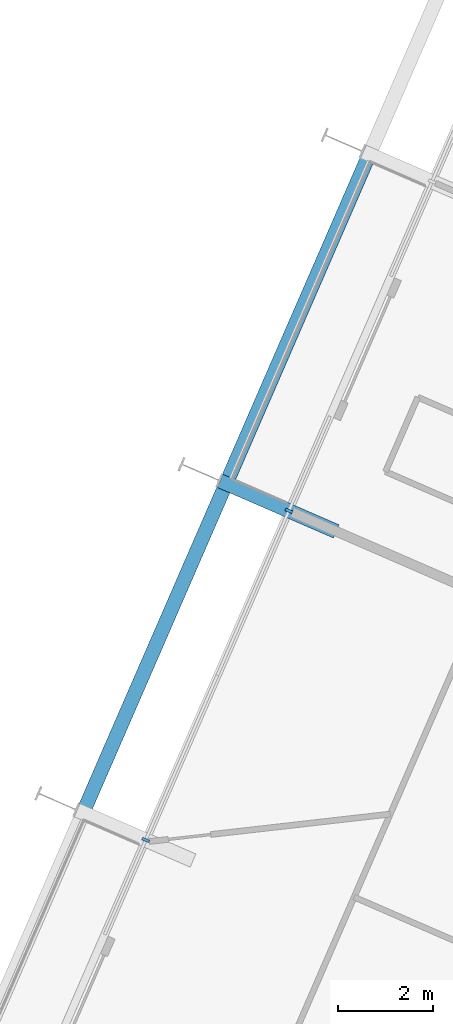
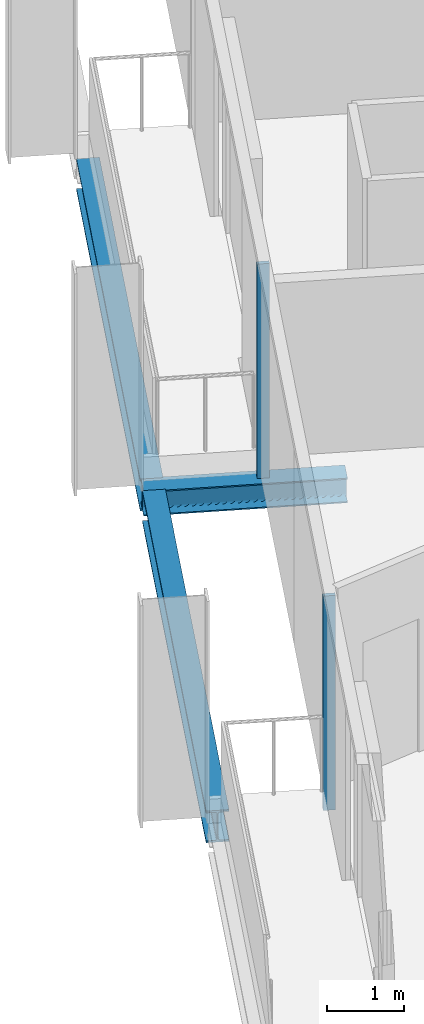
# One storey, part 5 of 24: 3 beams, 2 members, 1 element without a shape of its own.
"""IFC4 building model written with IfcOpenShell, lengths in metres."""

import ifcopenshell
import ifcopenshell.guid

model = None  # the IFC model being written
_history = None  # IfcOwnerHistory: only IFC2X3 demands one
_inside = {}  # id of a spatial element -> (the spatial element, [elements in it])
_under = {}  # id of a project, library or spatial element -> (it, [spatial elements below it])
_declared = {}  # id of a project -> (the project, [libraries it declares])
_typed = {}  # id of a type object -> (the type object, [elements of that type])
_made_of = {}  # id of a material, layer set ... -> (it, [elements and type objects made of it])


def new_model(schema):
    """Start an empty IFC model of exactly this schema.

    Asked for "IFC4X3", IfcOpenShell would pick the latest addendum, in which some entities
    have other attributes; the version numbers below select the first issue.
    IFC2X3 requires an IfcOwnerHistory on every rooted entity: one is made here for all.
    """
    global model, _history
    if schema == "IFC4X3":
        model = ifcopenshell.file(schema_version=(4, 3, 0, 0))
    else:
        model = ifcopenshell.file(schema=schema)
    _inside.clear()
    _under.clear()
    _declared.clear()
    _typed.clear()
    _made_of.clear()
    _history = None
    if model.schema == "IFC2X3":
        org = make("IfcOrganization", Name="unknown")
        user = make(
            "IfcPersonAndOrganization",
            ThePerson=make("IfcPerson", FamilyName="unknown"),
            TheOrganization=org,
        )
        app = make(
            "IfcApplication",
            ApplicationDeveloper=org,
            Version="unknown",
            ApplicationFullName="unknown",
            ApplicationIdentifier="unknown",
        )
        _history = make(
            "IfcOwnerHistory",
            OwningUser=user,
            OwningApplication=app,
            ChangeAction="ADDED",
            CreationDate=0,
        )
    return model


def make(cls, **values):
    """One entity of the class cls with the attributes given. An attribute that is None is left unset."""
    return model.create_entity(
        cls, **{name: value for name, value in values.items() if value is not None}
    )


def rooted(cls, **values):
    """An entity with a GlobalId (a new one), such as an element, a storey or a relation."""
    return make(cls, GlobalId=ifcopenshell.guid.new(), OwnerHistory=_history, **values)


def si_unit(unit_type, name, prefix=None):
    """IfcSIUnit, for example si_unit("LENGTHUNIT", "METRE", prefix="MILLI")."""
    return make("IfcSIUnit", UnitType=unit_type, Prefix=prefix, Name=name)


def assignment(units):
    """IfcUnitAssignment: the units of a project."""
    return None if units is None else make("IfcUnitAssignment", Units=units)


def point(xyz):
    """IfcCartesianPoint."""
    return None if xyz is None else make("IfcCartesianPoint", Coordinates=xyz)


def direction(xyz):
    """IfcDirection."""
    return None if xyz is None else make("IfcDirection", DirectionRatios=xyz)


def frame(location, z_axis=None, x_axis=None):
    """IfcAxis2Placement3D, a coordinate frame: its origin and axes. An axis left out is left unset."""
    return make(
        "IfcAxis2Placement3D",
        Location=point(location),
        Axis=direction(z_axis),
        RefDirection=direction(x_axis),
    )


def frame_2d(location, x_axis=None):
    """IfcAxis2Placement2D, a coordinate frame in the plane: its origin and x axis."""
    return make(
        "IfcAxis2Placement2D", Location=point(location), RefDirection=direction(x_axis)
    )


def origin():
    """The frame at (0, 0, 0) with its axes left unset."""
    return frame((0.0, 0.0, 0.0))


def origin_2d():
    """The frame at (0, 0) in the plane with its x axis left unset."""
    return frame_2d((0.0, 0.0))


def place(relative_to, where):
    """IfcLocalPlacement: puts the frame where relative to a parent placement (None: the world)."""
    return make(
        "IfcLocalPlacement", PlacementRelTo=relative_to, RelativePlacement=where
    )


def context(
    kind, dimensions, precision=None, world=None, true_north=None, identifier=None
):
    """IfcGeometricRepresentationContext, for example the 3D "Model" context."""
    return make(
        "IfcGeometricRepresentationContext",
        ContextIdentifier=identifier,
        ContextType=kind,
        CoordinateSpaceDimension=dimensions,
        Precision=precision,
        WorldCoordinateSystem=world,
        TrueNorth=true_north,
    )


def subcontext(parent, identifier, kind, view, scale=None):
    """IfcGeometricRepresentationSubContext, for example "Body" below "Model"."""
    return make(
        "IfcGeometricRepresentationSubContext",
        ContextIdentifier=identifier,
        ContextType=kind,
        ParentContext=parent,
        TargetScale=scale,
        TargetView=view,
    )


def project(units=None, contexts=None):
    """IfcProject with its units and contexts."""
    return rooted(
        "IfcProject",
        Name="project",
        RepresentationContexts=contexts,
        UnitsInContext=assignment(units),
    )


def spatial(cls, under=None, at=None, **own):
    """A site, building, storey or space (cls), placed at a placement, below another one or the project."""
    s = rooted(cls, ObjectPlacement=at, **own)
    if under is not None:
        _under.setdefault(under.id(), (under, []))[1].append(s)
    return s


def profile(cls, at=None, kind="AREA", **sizes):
    """A parametric profile (cls). Its sizes go by their IFC names, for example OverallWidth=200.0."""
    return make(cls, ProfileType=kind, Position=at, **sizes)


def rectangle(**sizes):
    """IfcRectangleProfileDef."""
    return profile("IfcRectangleProfileDef", **sizes)


def i_section(**sizes):
    """IfcIShapeProfileDef."""
    return profile("IfcIShapeProfileDef", **sizes)


def extrude(swept, where, along, depth):
    """IfcExtrudedAreaSolid: the profile swept, set in the frame where, extruded along a direction by depth."""
    return make(
        "IfcExtrudedAreaSolid",
        SweptArea=swept,
        Position=where,
        ExtrudedDirection=direction(along),
        Depth=depth,
    )


def shape(context_of_items, identifier, shape_type, items):
    """IfcShapeRepresentation: the items that make up one representation, for example the "Body"."""
    return make(
        "IfcShapeRepresentation",
        ContextOfItems=context_of_items,
        RepresentationIdentifier=identifier,
        RepresentationType=shape_type,
        Items=items,
    )


def material(Name=None, Category=None):
    """IfcMaterial."""
    return make("IfcMaterial", Name=Name, Category=Category)


def layer(
    of_material, thickness, ventilated=None, Name=None, Category=None, Priority=None
):
    """IfcMaterialLayer: one layer of a wall or slab, of a material (None: an air gap)."""
    return make(
        "IfcMaterialLayer",
        Material=of_material,
        LayerThickness=thickness,
        IsVentilated=ventilated,
        Name=Name,
        Category=Category,
        Priority=Priority,
    )


def layer_set(layers, Name=None):
    """IfcMaterialLayerSet."""
    return make("IfcMaterialLayerSet", MaterialLayers=layers, LayerSetName=Name)


def material_profile(
    of_material, cross_section, Name=None, Category=None, Priority=None
):
    """IfcMaterialProfile: a cross section and its material."""
    return make(
        "IfcMaterialProfile",
        Name=Name,
        Material=of_material,
        Profile=cross_section,
        Priority=Priority,
        Category=Category,
    )


def profile_set(profiles, Name=None, composite=None):
    """IfcMaterialProfileSet."""
    return make(
        "IfcMaterialProfileSet",
        Name=Name,
        MaterialProfiles=profiles,
        CompositeProfile=composite,
    )


def made_of(thing, what):
    """Note that an element or type object is made of a material, layer set ...; save() writes the relation."""
    if what is not None:
        _made_of.setdefault(what.id(), (what, []))[1].append(thing)
    return thing


def type_object(cls, material=None, **own):
    """A type object (cls), such as IfcWallType, which elements share."""
    return made_of(rooted(cls, **own), material)


def element(
    cls,
    number,
    at=None,
    inside=None,
    cuts=None,
    type_object=None,
    material=None,
    context=None,
    identifier="Body",
    shape_type=None,
    held_by="IfcProductDefinitionShape",
    body=None,
    shapes=None,
    **own,
):
    """One element of the class cls, such as IfcWall. Its Tag is "e" and its number.

    at: its placement. inside: the storey or other place that contains it. cuts: it is an
    opening in that element (IfcRelVoidsElement). A single representation is given by context,
    identifier, shape_type and body (its items); several are given by shapes. held_by: the class
    of the entity that holds the representations. save() writes the other relations.
    """
    e = rooted(cls, Tag="e%d" % number, ObjectPlacement=at, **own)
    if body is not None:
        shapes = [shape(context, identifier, shape_type, body)]
    if shapes is not None:
        e.Representation = make(held_by, Representations=shapes)
    if inside is not None:
        _inside.setdefault(inside.id(), (inside, []))[1].append(e)
    if cuts is not None:
        rooted(
            "IfcRelVoidsElement", RelatingBuildingElement=cuts, RelatedOpeningElement=e
        )
    if type_object is not None:
        _typed.setdefault(type_object.id(), (type_object, []))[1].append(e)
    return made_of(e, material)


def aggregate(whole, parts):
    """IfcRelAggregates: a whole, such as a stair, and the parts it consists of."""
    return rooted("IfcRelAggregates", RelatingObject=whole, RelatedObjects=parts)


def save(model, path):
    """Write the relations noted so far, then the file.

    IfcRelAggregates (storeys below a building ...), IfcRelContainedInSpatialStructure (elements
    in a storey), IfcRelDefinesByType, IfcRelAssociatesMaterial and IfcRelDeclares: one each for
    every whole, place, type object, material and project.
    """
    for whole, parts in _under.values():
        aggregate(whole, parts)
    for where, things in _inside.values():
        rooted(
            "IfcRelContainedInSpatialStructure",
            RelatedElements=things,
            RelatingStructure=where,
        )
    for kind, things in _typed.values():
        rooted("IfcRelDefinesByType", RelatedObjects=things, RelatingType=kind)
    for what, things in _made_of.values():
        rooted("IfcRelAssociatesMaterial", RelatedObjects=things, RelatingMaterial=what)
    for by, libraries in _declared.values():
        rooted("IfcRelDeclares", RelatingContext=by, RelatedDefinitions=libraries)
    model.write(path)


model = new_model("IFC4")

# Units and contexts
model_context = context("Model", 3, precision=1e-05, world=origin(), true_north=direction((0.0, 1.0)))
body_context = subcontext(model_context, "Body", "Model", "MODEL_VIEW")
ifc_project = project(units=[si_unit("LENGTHUNIT", "METRE"), si_unit("AREAUNIT", "SQUARE_METRE"), si_unit("VOLUMEUNIT", "CUBIC_METRE"), si_unit("PLANEANGLEUNIT", "RADIAN"), si_unit("MASSUNIT", "GRAM", prefix="KILO")], contexts=[model_context])

# Site, building, storey
site_placement = place(None, origin())
site = spatial("IfcSite", under=ifc_project, at=site_placement, CompositionType="ELEMENT")
building_placement = place(site_placement, origin())
building = spatial("IfcBuilding", under=site, at=building_placement, Name="Spindle Arch Residences", CompositionType="ELEMENT")
storey_placement = place(building_placement, frame((0.0, 0.0, 101.199951171875)))
storey = spatial("IfcBuildingStorey", under=building, at=storey_placement, Name="L24", CompositionType="ELEMENT", Elevation=101.199951171875)

# Curtain wall, members
ifc_material_1 = material(Name="Aluminium bronze unitised frame with tinted glass", Category="aluminium")
ifc_layer = layer(ifc_material_1, 0.159912109375)
ifc_layer_set = layer_set([ifc_layer], Name="CW-C typical residential unitised wall")
curtain_wall_type = type_object("IfcCurtainWallType", Name="CW-C typical residential unitised wall", PredefinedType="NOTDEFINED", material=ifc_layer_set)
curtain_wall_placement = place(storey_placement, origin())
curtain_wall = element("IfcCurtainWall", 1, at=curtain_wall_placement, inside=storey, type_object=curtain_wall_type, Name="CW-C L24 run 4", PredefinedType="NOTDEFINED")
ifc_material_2 = material(Name="Aluminium bronze anodised mullion", Category="aluminium")
ifc_material_profile_1 = material_profile(ifc_material_2, rectangle(XDim=0.159912109375, YDim=0.06005859375, at=origin_2d()), Name="MU 60x160")
ifc_profile_set_1 = profile_set([ifc_material_profile_1], Name="Aluminium bronze anodised mullion")
member_type = type_object("IfcMemberType", Name="Bronze mullion 60x160", PredefinedType="MULLION", material=ifc_profile_set_1)
member_1_placement = place(storey_placement, frame((-19.232666015625, 4.26318359375, -0.3798828125), z_axis=(0.0, 0.0, 1.0), x_axis=(0.917060074385, -0.398749068925, 0.0)))
member_1 = element("IfcMember", 2, at=member_1_placement, type_object=member_type, Name="CW-C mullion 16", PredefinedType="MULLION", context=body_context, shape_type="SweptSolid", body=[
    extrude(rectangle(XDim=0.159912109375, YDim=0.06005859375, at=origin_2d()), origin(), (0.0, 0.0, 1.0), 3.3798828125),
])
member_2_placement = place(storey_placement, frame((-22.23095703125, -2.632080078125, -0.3798828125), z_axis=(0.0, 0.0, 1.0), x_axis=(0.917060074385, -0.398749068925, 0.0)))
member_2 = element("IfcMember", 3, at=member_2_placement, type_object=member_type, Name="CW-C mullion 17", PredefinedType="MULLION", context=body_context, shape_type="SweptSolid", body=[
    extrude(rectangle(XDim=0.159912109375, YDim=0.06005859375, at=origin_2d()), origin(), (0.0, 0.0, 1.0), 3.3798828125),
])
aggregate(curtain_wall, [member_1, member_2])

# Beams
ifc_material_3 = material(Name="Steel S460ML, intumescent coating R 120", Category="steel")
ifc_material_profile_2 = material_profile(ifc_material_3, i_section(OverallWidth=0.300048828125, OverallDepth=0.5, WebThickness=0.014404296875, FlangeThickness=0.028076171875, FilletRadius=0.027099609375, at=origin_2d()), Name="HEB 500")
ifc_profile_set_2 = profile_set([ifc_material_profile_2], Name="Steel S460ML, intumescent coating R 120")
beam_type_1 = type_object("IfcBeamType", Name="Exoskeleton edge beam HEB 500", PredefinedType="BEAM", material=ifc_profile_set_2)
for number, where, z_axis, x_axis, name in (
    (4, (-17.6005859375, 11.610595703125, -0.6298828125), (-0.398760546857, -0.917055083553, 0.0), (0.917055083553, -0.398760546857, 0.0), "Exoskeleton edge beam 16"),
    (5, (-20.5986328125, 4.71533203125, -0.6298828125), (-0.398760546857, -0.917055083553, 0.0), (0.917055083553, -0.398760546857, 0.0), "Exoskeleton edge beam 17"),
):
    element("IfcBeam", number, at=place(storey_placement, frame(where, z_axis=z_axis, x_axis=x_axis)), inside=storey, type_object=beam_type_1, Name=name, PredefinedType="BEAM", context=body_context, shape_type="SweptSolid", body=[
        extrude(i_section(OverallWidth=0.300048828125, OverallDepth=0.5, WebThickness=0.014404296875, FlangeThickness=0.028076171875, FilletRadius=0.027099609375, at=origin_2d()), origin(), (0.0, 0.0, 1.0), 7.2587890625),
    ])
ifc_material_4 = material(Name="Steel S460ML, intumescent coating R 120", Category="steel")
ifc_material_profile_3 = material_profile(ifc_material_4, i_section(OverallWidth=0.300048828125, OverallDepth=0.389892578125, WebThickness=0.010986328125, FlangeThickness=0.01904296875, FilletRadius=0.027099609375, at=origin_2d()), Name="HEA 400")
ifc_profile_set_3 = profile_set([ifc_material_profile_3], Name="Steel S460ML, intumescent coating R 120")
beam_type_2 = type_object("IfcBeamType", Name="Floor outrigger HEA 400", PredefinedType="BEAM", material=ifc_profile_set_3)
beam_placement = place(storey_placement, frame((-20.672607421875, 4.889404296875, -0.574951171875), z_axis=(0.917045157424, -0.398783373831, 0.0), x_axis=(0.398783373831, 0.917045157424, 0.0)))
element("IfcBeam", 6, at=beam_placement, inside=storey, type_object=beam_type_2, Name="Floor outrigger 17", PredefinedType="BEAM", context=body_context, shape_type="SweptSolid", body=[
    extrude(i_section(OverallWidth=0.300048828125, OverallDepth=0.389892578125, WebThickness=0.010986328125, FlangeThickness=0.01904296875, FilletRadius=0.027099609375, at=origin_2d()), origin(), (0.0, 0.0, 1.0), 2.650390625),
])

save(model, "model.ifc")
